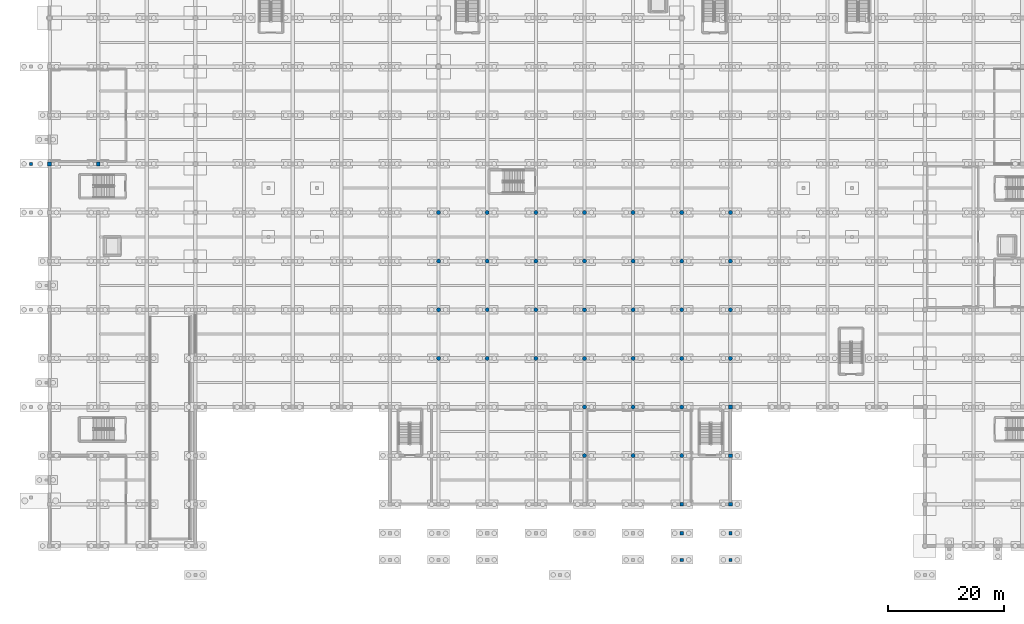
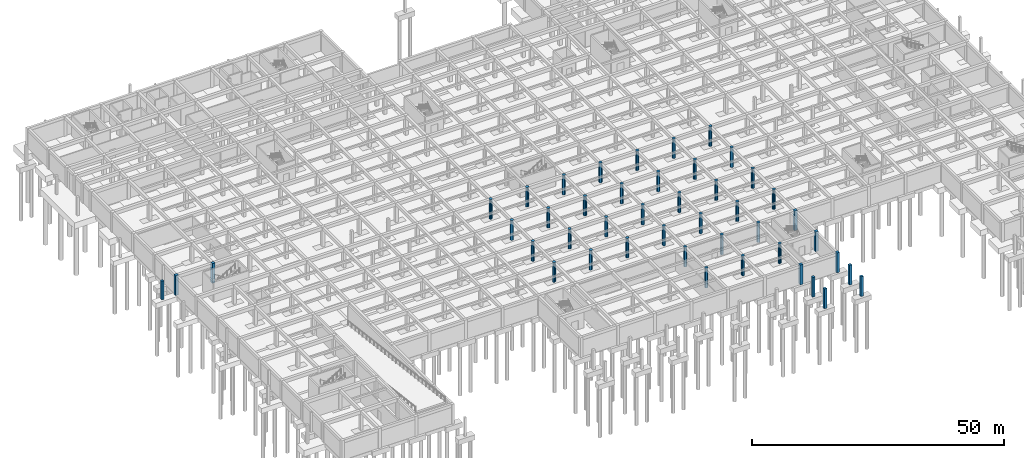
# One storey, part 9 of 51: 45 columns.
"""IFC4 building model written with IfcOpenShell, lengths in metres."""

import ifcopenshell
import ifcopenshell.guid

model = None  # the IFC model being written
_history = None  # IfcOwnerHistory: only IFC2X3 demands one
_inside = {}  # id of a spatial element -> (the spatial element, [elements in it])
_under = {}  # id of a project, library or spatial element -> (it, [spatial elements below it])
_declared = {}  # id of a project -> (the project, [libraries it declares])
_typed = {}  # id of a type object -> (the type object, [elements of that type])
_made_of = {}  # id of a material, layer set ... -> (it, [elements and type objects made of it])


def new_model(schema):
    """Start an empty IFC model of exactly this schema.

    Asked for "IFC4X3", IfcOpenShell would pick the latest addendum, in which some entities
    have other attributes; the version numbers below select the first issue.
    IFC2X3 requires an IfcOwnerHistory on every rooted entity: one is made here for all.
    """
    global model, _history
    if schema == "IFC4X3":
        model = ifcopenshell.file(schema_version=(4, 3, 0, 0))
    else:
        model = ifcopenshell.file(schema=schema)
    _inside.clear()
    _under.clear()
    _declared.clear()
    _typed.clear()
    _made_of.clear()
    _history = None
    if model.schema == "IFC2X3":
        org = make("IfcOrganization", Name="unknown")
        user = make(
            "IfcPersonAndOrganization",
            ThePerson=make("IfcPerson", FamilyName="unknown"),
            TheOrganization=org,
        )
        app = make(
            "IfcApplication",
            ApplicationDeveloper=org,
            Version="unknown",
            ApplicationFullName="unknown",
            ApplicationIdentifier="unknown",
        )
        _history = make(
            "IfcOwnerHistory",
            OwningUser=user,
            OwningApplication=app,
            ChangeAction="ADDED",
            CreationDate=0,
        )
    return model


def make(cls, **values):
    """One entity of the class cls with the attributes given. An attribute that is None is left unset."""
    return model.create_entity(
        cls, **{name: value for name, value in values.items() if value is not None}
    )


def rooted(cls, **values):
    """An entity with a GlobalId (a new one), such as an element, a storey or a relation."""
    return make(cls, GlobalId=ifcopenshell.guid.new(), OwnerHistory=_history, **values)


def si_unit(unit_type, name, prefix=None):
    """IfcSIUnit, for example si_unit("LENGTHUNIT", "METRE", prefix="MILLI")."""
    return make("IfcSIUnit", UnitType=unit_type, Prefix=prefix, Name=name)


def assignment(units):
    """IfcUnitAssignment: the units of a project."""
    return None if units is None else make("IfcUnitAssignment", Units=units)


def point(xyz):
    """IfcCartesianPoint."""
    return None if xyz is None else make("IfcCartesianPoint", Coordinates=xyz)


def direction(xyz):
    """IfcDirection."""
    return None if xyz is None else make("IfcDirection", DirectionRatios=xyz)


def frame(location, z_axis=None, x_axis=None):
    """IfcAxis2Placement3D, a coordinate frame: its origin and axes. An axis left out is left unset."""
    return make(
        "IfcAxis2Placement3D",
        Location=point(location),
        Axis=direction(z_axis),
        RefDirection=direction(x_axis),
    )


def frame_2d(location, x_axis=None):
    """IfcAxis2Placement2D, a coordinate frame in the plane: its origin and x axis."""
    return make(
        "IfcAxis2Placement2D", Location=point(location), RefDirection=direction(x_axis)
    )


def origin():
    """The frame at (0, 0, 0) with its axes left unset."""
    return frame((0.0, 0.0, 0.0))


def origin_2d():
    """The frame at (0, 0) in the plane with its x axis left unset."""
    return frame_2d((0.0, 0.0))


def place(relative_to, where):
    """IfcLocalPlacement: puts the frame where relative to a parent placement (None: the world)."""
    return make(
        "IfcLocalPlacement", PlacementRelTo=relative_to, RelativePlacement=where
    )


def context(
    kind, dimensions, precision=None, world=None, true_north=None, identifier=None
):
    """IfcGeometricRepresentationContext, for example the 3D "Model" context."""
    return make(
        "IfcGeometricRepresentationContext",
        ContextIdentifier=identifier,
        ContextType=kind,
        CoordinateSpaceDimension=dimensions,
        Precision=precision,
        WorldCoordinateSystem=world,
        TrueNorth=true_north,
    )


def subcontext(parent, identifier, kind, view, scale=None):
    """IfcGeometricRepresentationSubContext, for example "Body" below "Model"."""
    return make(
        "IfcGeometricRepresentationSubContext",
        ContextIdentifier=identifier,
        ContextType=kind,
        ParentContext=parent,
        TargetScale=scale,
        TargetView=view,
    )


def project(units=None, contexts=None):
    """IfcProject with its units and contexts."""
    return rooted(
        "IfcProject",
        Name="project",
        RepresentationContexts=contexts,
        UnitsInContext=assignment(units),
    )


def spatial(cls, under=None, at=None, **own):
    """A site, building, storey or space (cls), placed at a placement, below another one or the project."""
    s = rooted(cls, ObjectPlacement=at, **own)
    if under is not None:
        _under.setdefault(under.id(), (under, []))[1].append(s)
    return s


def profile(cls, at=None, kind="AREA", **sizes):
    """A parametric profile (cls). Its sizes go by their IFC names, for example OverallWidth=200.0."""
    return make(cls, ProfileType=kind, Position=at, **sizes)


def rectangle(**sizes):
    """IfcRectangleProfileDef."""
    return profile("IfcRectangleProfileDef", **sizes)


def circle(**sizes):
    """IfcCircleProfileDef."""
    return profile("IfcCircleProfileDef", **sizes)


def extrude(swept, where, along, depth):
    """IfcExtrudedAreaSolid: the profile swept, set in the frame where, extruded along a direction by depth."""
    return make(
        "IfcExtrudedAreaSolid",
        SweptArea=swept,
        Position=where,
        ExtrudedDirection=direction(along),
        Depth=depth,
    )


def shape(context_of_items, identifier, shape_type, items):
    """IfcShapeRepresentation: the items that make up one representation, for example the "Body"."""
    return make(
        "IfcShapeRepresentation",
        ContextOfItems=context_of_items,
        RepresentationIdentifier=identifier,
        RepresentationType=shape_type,
        Items=items,
    )


def material(Name=None, Category=None):
    """IfcMaterial."""
    return make("IfcMaterial", Name=Name, Category=Category)


def material_profile(
    of_material, cross_section, Name=None, Category=None, Priority=None
):
    """IfcMaterialProfile: a cross section and its material."""
    return make(
        "IfcMaterialProfile",
        Name=Name,
        Material=of_material,
        Profile=cross_section,
        Priority=Priority,
        Category=Category,
    )


def profile_set(profiles, Name=None, composite=None):
    """IfcMaterialProfileSet."""
    return make(
        "IfcMaterialProfileSet",
        Name=Name,
        MaterialProfiles=profiles,
        CompositeProfile=composite,
    )


def made_of(thing, what):
    """Note that an element or type object is made of a material, layer set ...; save() writes the relation."""
    if what is not None:
        _made_of.setdefault(what.id(), (what, []))[1].append(thing)
    return thing


def type_object(cls, material=None, **own):
    """A type object (cls), such as IfcWallType, which elements share."""
    return made_of(rooted(cls, **own), material)


def element(
    cls,
    number,
    at=None,
    inside=None,
    cuts=None,
    type_object=None,
    material=None,
    context=None,
    identifier="Body",
    shape_type=None,
    held_by="IfcProductDefinitionShape",
    body=None,
    shapes=None,
    **own,
):
    """One element of the class cls, such as IfcWall. Its Tag is "e" and its number.

    at: its placement. inside: the storey or other place that contains it. cuts: it is an
    opening in that element (IfcRelVoidsElement). A single representation is given by context,
    identifier, shape_type and body (its items); several are given by shapes. held_by: the class
    of the entity that holds the representations. save() writes the other relations.
    """
    e = rooted(cls, Tag="e%d" % number, ObjectPlacement=at, **own)
    if body is not None:
        shapes = [shape(context, identifier, shape_type, body)]
    if shapes is not None:
        e.Representation = make(held_by, Representations=shapes)
    if inside is not None:
        _inside.setdefault(inside.id(), (inside, []))[1].append(e)
    if cuts is not None:
        rooted(
            "IfcRelVoidsElement", RelatingBuildingElement=cuts, RelatedOpeningElement=e
        )
    if type_object is not None:
        _typed.setdefault(type_object.id(), (type_object, []))[1].append(e)
    return made_of(e, material)


def aggregate(whole, parts):
    """IfcRelAggregates: a whole, such as a stair, and the parts it consists of."""
    return rooted("IfcRelAggregates", RelatingObject=whole, RelatedObjects=parts)


def save(model, path):
    """Write the relations noted so far, then the file.

    IfcRelAggregates (storeys below a building ...), IfcRelContainedInSpatialStructure (elements
    in a storey), IfcRelDefinesByType, IfcRelAssociatesMaterial and IfcRelDeclares: one each for
    every whole, place, type object, material and project.
    """
    for whole, parts in _under.values():
        aggregate(whole, parts)
    for where, things in _inside.values():
        rooted(
            "IfcRelContainedInSpatialStructure",
            RelatedElements=things,
            RelatingStructure=where,
        )
    for kind, things in _typed.values():
        rooted("IfcRelDefinesByType", RelatedObjects=things, RelatingType=kind)
    for what, things in _made_of.values():
        rooted("IfcRelAssociatesMaterial", RelatedObjects=things, RelatingMaterial=what)
    for by, libraries in _declared.values():
        rooted("IfcRelDeclares", RelatingContext=by, RelatedDefinitions=libraries)
    model.write(path)


model = new_model("IFC4")

# Units and contexts
model_context = context("Model", 3, precision=1e-05, world=origin(), true_north=direction((0.0, 1.0)))
body_context = subcontext(model_context, "Body", "Model", "MODEL_VIEW")
ifc_project = project(units=[si_unit("LENGTHUNIT", "METRE"), si_unit("AREAUNIT", "SQUARE_METRE"), si_unit("VOLUMEUNIT", "CUBIC_METRE"), si_unit("PLANEANGLEUNIT", "RADIAN"), si_unit("MASSUNIT", "GRAM", prefix="KILO")], contexts=[model_context])

# Site, building, storey
site_placement = place(None, origin())
site = spatial("IfcSite", under=ifc_project, at=site_placement, CompositionType="ELEMENT")
building_placement = place(site_placement, origin())
building = spatial("IfcBuilding", under=site, at=building_placement, Name="Varncliffe General Hospital", CompositionType="ELEMENT")
storey_placement = place(building_placement, frame((0.0, 0.0, -4.800048828125)))
storey = spatial("IfcBuildingStorey", under=building, at=storey_placement, Name="B1", CompositionType="ELEMENT", Elevation=-4.800048828125)

# Columns
ifc_material = material(Name="Concrete C40/50 (CSA A23.1 40 MPa)", Category="concrete")
ifc_material_profile_1 = material_profile(ifc_material, rectangle(XDim=0.64990234375, YDim=0.64990234375, at=origin_2d()), Name="RC 650x650")
ifc_profile_set_1 = profile_set([ifc_material_profile_1], Name="Concrete C40/50 (CSA A23.1 40 MPa)")
column_type_1 = type_object("IfcColumnType", Name="Column C21 (Ext RC 650x650)", PredefinedType="COLUMN", material=ifc_profile_set_1)
for number, where, z_axis, x_axis, name in (
    (1, (0.0, 66.0, 0.0), (0.0, 0.0, 1.0), (1.0, 0.0, 0.0), "B1 Column C21"),
    (2, (109.199951171875, 7.199951171875, 0.0), (0.0, 0.0, 1.0), (1.0, 0.0, 0.0), "B1 Column C21"),
    (3, (117.60009765625, 7.199951171875, 0.0), (0.0, 0.0, 1.0), (1.0, 0.0, 0.0), "B1 Column C21"),
    (4, (117.60009765625, 15.60009765625, 0.0), (0.0, 0.0, 1.0), (1.0, 0.0, 0.0), "B1 Column C21"),
    (5, (117.60009765625, 24.0, 0.0), (0.0, 0.0, 1.0), (1.0, 0.0, 0.0), "B1 Column C21"),
):
    element("IfcColumn", number, at=place(storey_placement, frame(where, z_axis=z_axis, x_axis=x_axis)), inside=storey, type_object=column_type_1, Name=name, PredefinedType="COLUMN", context=body_context, shape_type="SweptSolid", body=[
        extrude(rectangle(XDim=0.64990234375, YDim=0.64990234375, at=origin_2d()), origin(), (0.0, 0.0, 1.0), 4.800048828125),
    ])
ifc_material_profile_2 = material_profile(ifc_material, circle(Radius=0.35009765625, at=origin_2d()), Name="RC D700")
ifc_profile_set_2 = profile_set([ifc_material_profile_2], Name="Concrete C40/50 (CSA A23.1 40 MPa)")
column_type_2 = type_object("IfcColumnType", Name="Column C25 (Int RC D700)", PredefinedType="COLUMN", material=ifc_profile_set_2)
for number, where, z_axis, x_axis, name in (
    (6, (67.199951171875, 32.39990234375, 0.0), (0.0, 0.0, 1.0), (1.0, 0.0, 0.0), "B1 Column C25"),
    (7, (67.199951171875, 40.800048828125, 0.0), (0.0, 0.0, 1.0), (1.0, 0.0, 0.0), "B1 Column C25"),
    (8, (67.199951171875, 49.199951171875, 0.0), (0.0, 0.0, 1.0), (1.0, 0.0, 0.0), "B1 Column C25"),
    (9, (67.199951171875, 57.60009765625, 0.0), (0.0, 0.0, 1.0), (1.0, 0.0, 0.0), "B1 Column C25"),
    (10, (75.60009765625, 32.39990234375, 0.0), (0.0, 0.0, 1.0), (1.0, 0.0, 0.0), "B1 Column C25"),
    (11, (75.60009765625, 40.800048828125, 0.0), (0.0, 0.0, 1.0), (1.0, 0.0, 0.0), "B1 Column C25"),
    (12, (75.60009765625, 49.199951171875, 0.0), (0.0, 0.0, 1.0), (1.0, 0.0, 0.0), "B1 Column C25"),
    (13, (75.60009765625, 57.60009765625, 0.0), (0.0, 0.0, 1.0), (1.0, 0.0, 0.0), "B1 Column C25"),
    (14, (84.0, 32.39990234375, 0.0), (0.0, 0.0, 1.0), (1.0, 0.0, 0.0), "B1 Column C25"),
    (15, (84.0, 40.800048828125, 0.0), (0.0, 0.0, 1.0), (1.0, 0.0, 0.0), "B1 Column C25"),
    (16, (84.0, 49.199951171875, 0.0), (0.0, 0.0, 1.0), (1.0, 0.0, 0.0), "B1 Column C25"),
    (17, (84.0, 57.60009765625, 0.0), (0.0, 0.0, 1.0), (1.0, 0.0, 0.0), "B1 Column C25"),
    (18, (92.39990234375, 15.60009765625, 0.0), (0.0, 0.0, 1.0), (1.0, 0.0, 0.0), "B1 Column C25"),
    (19, (92.39990234375, 24.0, 0.0), (0.0, 0.0, 1.0), (1.0, 0.0, 0.0), "B1 Column C25"),
    (20, (92.39990234375, 32.39990234375, 0.0), (0.0, 0.0, 1.0), (1.0, 0.0, 0.0), "B1 Column C25"),
    (21, (92.39990234375, 40.800048828125, 0.0), (0.0, 0.0, 1.0), (1.0, 0.0, 0.0), "B1 Column C25"),
    (22, (92.39990234375, 49.199951171875, 0.0), (0.0, 0.0, 1.0), (1.0, 0.0, 0.0), "B1 Column C25"),
    (23, (92.39990234375, 57.60009765625, 0.0), (0.0, 0.0, 1.0), (1.0, 0.0, 0.0), "B1 Column C25"),
    (24, (100.800048828125, 15.60009765625, 0.0), (0.0, 0.0, 1.0), (1.0, 0.0, 0.0), "B1 Column C25"),
    (25, (100.800048828125, 24.0, 0.0), (0.0, 0.0, 1.0), (1.0, 0.0, 0.0), "B1 Column C25"),
    (26, (100.800048828125, 32.39990234375, 0.0), (0.0, 0.0, 1.0), (1.0, 0.0, 0.0), "B1 Column C25"),
    (27, (100.800048828125, 40.800048828125, 0.0), (0.0, 0.0, 1.0), (1.0, 0.0, 0.0), "B1 Column C25"),
    (28, (100.800048828125, 49.199951171875, 0.0), (0.0, 0.0, 1.0), (1.0, 0.0, 0.0), "B1 Column C25"),
    (29, (100.800048828125, 57.60009765625, 0.0), (0.0, 0.0, 1.0), (1.0, 0.0, 0.0), "B1 Column C25"),
    (30, (109.199951171875, 15.60009765625, 0.0), (0.0, 0.0, 1.0), (1.0, 0.0, 0.0), "B1 Column C25"),
    (31, (109.199951171875, 24.0, 0.0), (0.0, 0.0, 1.0), (1.0, 0.0, 0.0), "B1 Column C25"),
    (32, (109.199951171875, 32.39990234375, 0.0), (0.0, 0.0, 1.0), (1.0, 0.0, 0.0), "B1 Column C25"),
    (33, (109.199951171875, 40.800048828125, 0.0), (0.0, 0.0, 1.0), (1.0, 0.0, 0.0), "B1 Column C25"),
    (34, (109.199951171875, 49.199951171875, 0.0), (0.0, 0.0, 1.0), (1.0, 0.0, 0.0), "B1 Column C25"),
    (35, (109.199951171875, 57.60009765625, 0.0), (0.0, 0.0, 1.0), (1.0, 0.0, 0.0), "B1 Column C25"),
    (36, (117.60009765625, 32.39990234375, 0.0), (0.0, 0.0, 1.0), (1.0, 0.0, 0.0), "B1 Column C25"),
    (37, (117.60009765625, 40.800048828125, 0.0), (0.0, 0.0, 1.0), (1.0, 0.0, 0.0), "B1 Column C25"),
    (38, (117.60009765625, 49.199951171875, 0.0), (0.0, 0.0, 1.0), (1.0, 0.0, 0.0), "B1 Column C25"),
    (39, (117.60009765625, 57.60009765625, 0.0), (0.0, 0.0, 1.0), (1.0, 0.0, 0.0), "B1 Column C25"),
):
    element("IfcColumn", number, at=place(storey_placement, frame(where, z_axis=z_axis, x_axis=x_axis)), inside=storey, type_object=column_type_2, Name=name, PredefinedType="COLUMN", context=body_context, shape_type="SweptSolid", body=[
        extrude(circle(Radius=0.35009765625, at=origin_2d()), origin(), (0.0, 0.0, 1.0), 4.800048828125),
    ])
ifc_material_profile_3 = material_profile(ifc_material, rectangle(XDim=0.550048828125, YDim=0.550048828125, at=origin_2d()), Name="RC 550x550")
ifc_profile_set_3 = profile_set([ifc_material_profile_3], Name="Concrete C40/50 (CSA A23.1 40 MPa)")
column_type_3 = type_object("IfcColumnType", Name="Column C26 (Ext RC 550x550)", PredefinedType="COLUMN", material=ifc_profile_set_3)
for number, where, z_axis, x_axis, name in (
    (40, (109.199951171875, -2.39990234375, 0.0), (0.0, 0.0, 1.0), (1.0, 0.0, 0.0), "B1 Column C26"),
    (41, (109.199951171875, 2.199951171875, 0.0), (0.0, 0.0, 1.0), (1.0, 0.0, 0.0), "B1 Column C26"),
    (42, (117.60009765625, -2.39990234375, 0.0), (0.0, 0.0, 1.0), (1.0, 0.0, 0.0), "B1 Column C26"),
    (43, (117.60009765625, 2.199951171875, 0.0), (0.0, 0.0, 1.0), (1.0, 0.0, 0.0), "B1 Column C26"),
):
    element("IfcColumn", number, at=place(storey_placement, frame(where, z_axis=z_axis, x_axis=x_axis)), inside=storey, type_object=column_type_3, Name=name, PredefinedType="COLUMN", context=body_context, shape_type="SweptSolid", body=[
        extrude(rectangle(XDim=0.550048828125, YDim=0.550048828125, at=origin_2d()), origin(), (0.0, 0.0, 1.0), 4.800048828125),
    ])
ifc_material_profile_4 = material_profile(ifc_material, rectangle(XDim=0.64990234375, YDim=0.64990234375, at=origin_2d()), Name="RC 650x650")
ifc_profile_set_4 = profile_set([ifc_material_profile_4], Name="Concrete C40/50 (CSA A23.1 40 MPa)")
column_type_4 = type_object("IfcColumnType", Name="Column C29 (Int RC 650x650)", PredefinedType="COLUMN", material=ifc_profile_set_4)
column_1_placement = place(storey_placement, frame((8.39990234375, 66.0, 0.0), z_axis=(0.0, 0.0, 1.0), x_axis=(1.0, 0.0, 0.0)))
element("IfcColumn", 44, at=column_1_placement, inside=storey, type_object=column_type_4, Name="B1 Column C29", PredefinedType="COLUMN", context=body_context, shape_type="SweptSolid", body=[
    extrude(rectangle(XDim=0.64990234375, YDim=0.64990234375, at=origin_2d()), origin(), (0.0, 0.0, 1.0), 4.800048828125),
])
ifc_material_profile_5 = material_profile(ifc_material, rectangle(XDim=0.5, YDim=0.5, at=origin_2d()), Name="RC 500x500")
ifc_profile_set_5 = profile_set([ifc_material_profile_5], Name="Concrete C40/50 (CSA A23.1 40 MPa)")
column_type_5 = type_object("IfcColumnType", Name="Column C65 (Ext RC 500x500)", PredefinedType="COLUMN", material=ifc_profile_set_5)
column_2_placement = place(storey_placement, frame((-3.199951171875, 66.0, 0.0), z_axis=(0.0, 0.0, 1.0), x_axis=(1.0, 0.0, 0.0)))
element("IfcColumn", 45, at=column_2_placement, inside=storey, type_object=column_type_5, Name="B1 Perimeter Walkway Support Pier", PredefinedType="COLUMN", context=body_context, shape_type="SweptSolid", body=[
    extrude(rectangle(XDim=0.5, YDim=0.5, at=origin_2d()), origin(), (0.0, 0.0, 1.0), 4.52001953125),
])

save(model, "model.ifc")
